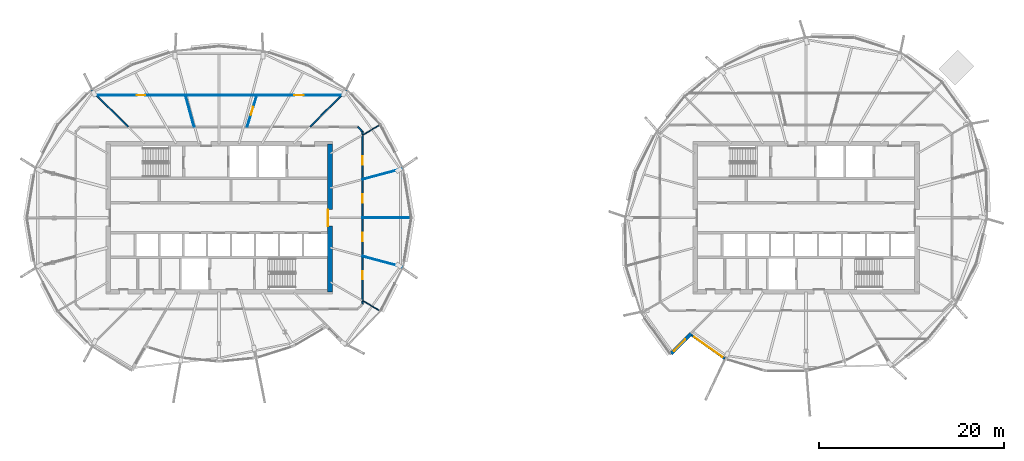
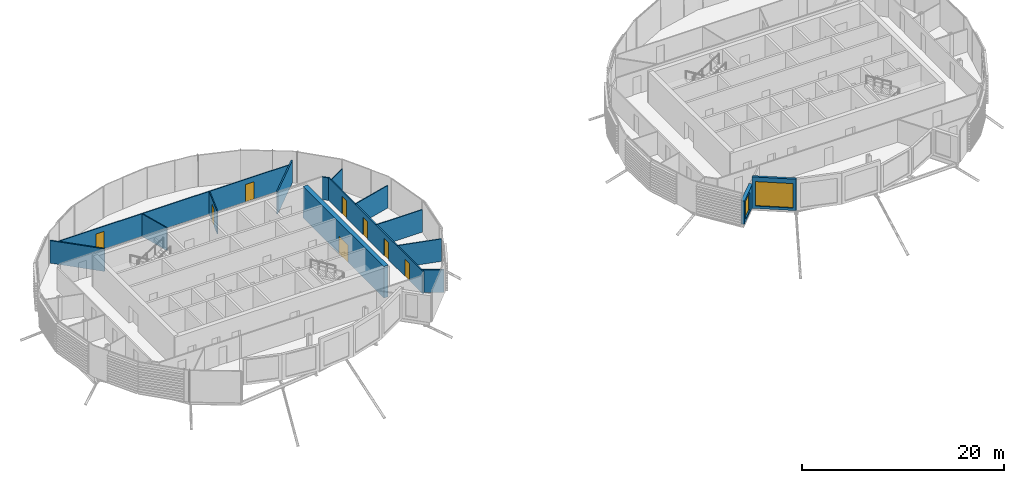
# One storey, part 18 of 35: 15 walls, 8 doors, 2 windows, 10 openings.
"""IFC4 building model written with IfcOpenShell, lengths in metres."""

import ifcopenshell
import ifcopenshell.guid

model = None  # the IFC model being written
_history = None  # IfcOwnerHistory: only IFC2X3 demands one
_inside = {}  # id of a spatial element -> (the spatial element, [elements in it])
_under = {}  # id of a project, library or spatial element -> (it, [spatial elements below it])
_declared = {}  # id of a project -> (the project, [libraries it declares])
_typed = {}  # id of a type object -> (the type object, [elements of that type])
_made_of = {}  # id of a material, layer set ... -> (it, [elements and type objects made of it])


def new_model(schema):
    """Start an empty IFC model of exactly this schema.

    Asked for "IFC4X3", IfcOpenShell would pick the latest addendum, in which some entities
    have other attributes; the version numbers below select the first issue.
    IFC2X3 requires an IfcOwnerHistory on every rooted entity: one is made here for all.
    """
    global model, _history
    if schema == "IFC4X3":
        model = ifcopenshell.file(schema_version=(4, 3, 0, 0))
    else:
        model = ifcopenshell.file(schema=schema)
    _inside.clear()
    _under.clear()
    _declared.clear()
    _typed.clear()
    _made_of.clear()
    _history = None
    if model.schema == "IFC2X3":
        org = make("IfcOrganization", Name="unknown")
        user = make(
            "IfcPersonAndOrganization",
            ThePerson=make("IfcPerson", FamilyName="unknown"),
            TheOrganization=org,
        )
        app = make(
            "IfcApplication",
            ApplicationDeveloper=org,
            Version="unknown",
            ApplicationFullName="unknown",
            ApplicationIdentifier="unknown",
        )
        _history = make(
            "IfcOwnerHistory",
            OwningUser=user,
            OwningApplication=app,
            ChangeAction="ADDED",
            CreationDate=0,
        )
    return model


def make(cls, **values):
    """One entity of the class cls with the attributes given. An attribute that is None is left unset."""
    return model.create_entity(
        cls, **{name: value for name, value in values.items() if value is not None}
    )


def rooted(cls, **values):
    """An entity with a GlobalId (a new one), such as an element, a storey or a relation."""
    return make(cls, GlobalId=ifcopenshell.guid.new(), OwnerHistory=_history, **values)


def si_unit(unit_type, name, prefix=None):
    """IfcSIUnit, for example si_unit("LENGTHUNIT", "METRE", prefix="MILLI")."""
    return make("IfcSIUnit", UnitType=unit_type, Prefix=prefix, Name=name)


def assignment(units):
    """IfcUnitAssignment: the units of a project."""
    return None if units is None else make("IfcUnitAssignment", Units=units)


def point(xyz):
    """IfcCartesianPoint."""
    return None if xyz is None else make("IfcCartesianPoint", Coordinates=xyz)


def direction(xyz):
    """IfcDirection."""
    return None if xyz is None else make("IfcDirection", DirectionRatios=xyz)


def frame(location, z_axis=None, x_axis=None):
    """IfcAxis2Placement3D, a coordinate frame: its origin and axes. An axis left out is left unset."""
    return make(
        "IfcAxis2Placement3D",
        Location=point(location),
        Axis=direction(z_axis),
        RefDirection=direction(x_axis),
    )


def frame_2d(location, x_axis=None):
    """IfcAxis2Placement2D, a coordinate frame in the plane: its origin and x axis."""
    return make(
        "IfcAxis2Placement2D", Location=point(location), RefDirection=direction(x_axis)
    )


def origin():
    """The frame at (0, 0, 0) with its axes left unset."""
    return frame((0.0, 0.0, 0.0))


def place(relative_to, where):
    """IfcLocalPlacement: puts the frame where relative to a parent placement (None: the world)."""
    return make(
        "IfcLocalPlacement", PlacementRelTo=relative_to, RelativePlacement=where
    )


def context(
    kind, dimensions, precision=None, world=None, true_north=None, identifier=None
):
    """IfcGeometricRepresentationContext, for example the 3D "Model" context."""
    return make(
        "IfcGeometricRepresentationContext",
        ContextIdentifier=identifier,
        ContextType=kind,
        CoordinateSpaceDimension=dimensions,
        Precision=precision,
        WorldCoordinateSystem=world,
        TrueNorth=true_north,
    )


def subcontext(parent, identifier, kind, view, scale=None):
    """IfcGeometricRepresentationSubContext, for example "Body" below "Model"."""
    return make(
        "IfcGeometricRepresentationSubContext",
        ContextIdentifier=identifier,
        ContextType=kind,
        ParentContext=parent,
        TargetScale=scale,
        TargetView=view,
    )


def project(units=None, contexts=None):
    """IfcProject with its units and contexts."""
    return rooted(
        "IfcProject",
        Name="project",
        RepresentationContexts=contexts,
        UnitsInContext=assignment(units),
    )


def spatial(cls, under=None, at=None, **own):
    """A site, building, storey or space (cls), placed at a placement, below another one or the project."""
    s = rooted(cls, ObjectPlacement=at, **own)
    if under is not None:
        _under.setdefault(under.id(), (under, []))[1].append(s)
    return s


def profile(cls, at=None, kind="AREA", **sizes):
    """A parametric profile (cls). Its sizes go by their IFC names, for example OverallWidth=200.0."""
    return make(cls, ProfileType=kind, Position=at, **sizes)


def rectangle(**sizes):
    """IfcRectangleProfileDef."""
    return profile("IfcRectangleProfileDef", **sizes)


def extrude(swept, where, along, depth):
    """IfcExtrudedAreaSolid: the profile swept, set in the frame where, extruded along a direction by depth."""
    return make(
        "IfcExtrudedAreaSolid",
        SweptArea=swept,
        Position=where,
        ExtrudedDirection=direction(along),
        Depth=depth,
    )


def shape(context_of_items, identifier, shape_type, items):
    """IfcShapeRepresentation: the items that make up one representation, for example the "Body"."""
    return make(
        "IfcShapeRepresentation",
        ContextOfItems=context_of_items,
        RepresentationIdentifier=identifier,
        RepresentationType=shape_type,
        Items=items,
    )


def material(Name=None, Category=None):
    """IfcMaterial."""
    return make("IfcMaterial", Name=Name, Category=Category)


def layer(
    of_material, thickness, ventilated=None, Name=None, Category=None, Priority=None
):
    """IfcMaterialLayer: one layer of a wall or slab, of a material (None: an air gap)."""
    return make(
        "IfcMaterialLayer",
        Material=of_material,
        LayerThickness=thickness,
        IsVentilated=ventilated,
        Name=Name,
        Category=Category,
        Priority=Priority,
    )


def layer_set(layers, Name=None):
    """IfcMaterialLayerSet."""
    return make("IfcMaterialLayerSet", MaterialLayers=layers, LayerSetName=Name)


def made_of(thing, what):
    """Note that an element or type object is made of a material, layer set ...; save() writes the relation."""
    if what is not None:
        _made_of.setdefault(what.id(), (what, []))[1].append(thing)
    return thing


def type_object(cls, material=None, **own):
    """A type object (cls), such as IfcWallType, which elements share."""
    return made_of(rooted(cls, **own), material)


def element(
    cls,
    number,
    at=None,
    inside=None,
    cuts=None,
    type_object=None,
    material=None,
    context=None,
    identifier="Body",
    shape_type=None,
    held_by="IfcProductDefinitionShape",
    body=None,
    shapes=None,
    **own,
):
    """One element of the class cls, such as IfcWall. Its Tag is "e" and its number.

    at: its placement. inside: the storey or other place that contains it. cuts: it is an
    opening in that element (IfcRelVoidsElement). A single representation is given by context,
    identifier, shape_type and body (its items); several are given by shapes. held_by: the class
    of the entity that holds the representations. save() writes the other relations.
    """
    e = rooted(cls, Tag="e%d" % number, ObjectPlacement=at, **own)
    if body is not None:
        shapes = [shape(context, identifier, shape_type, body)]
    if shapes is not None:
        e.Representation = make(held_by, Representations=shapes)
    if inside is not None:
        _inside.setdefault(inside.id(), (inside, []))[1].append(e)
    if cuts is not None:
        rooted(
            "IfcRelVoidsElement", RelatingBuildingElement=cuts, RelatedOpeningElement=e
        )
    if type_object is not None:
        _typed.setdefault(type_object.id(), (type_object, []))[1].append(e)
    return made_of(e, material)


def fill(opening, filler):
    """IfcRelFillsElement: the door or window that sits in an opening."""
    return rooted(
        "IfcRelFillsElement",
        RelatingOpeningElement=opening,
        RelatedBuildingElement=filler,
    )


def aggregate(whole, parts):
    """IfcRelAggregates: a whole, such as a stair, and the parts it consists of."""
    return rooted("IfcRelAggregates", RelatingObject=whole, RelatedObjects=parts)


def save(model, path):
    """Write the relations noted so far, then the file.

    IfcRelAggregates (storeys below a building ...), IfcRelContainedInSpatialStructure (elements
    in a storey), IfcRelDefinesByType, IfcRelAssociatesMaterial and IfcRelDeclares: one each for
    every whole, place, type object, material and project.
    """
    for whole, parts in _under.values():
        aggregate(whole, parts)
    for where, things in _inside.values():
        rooted(
            "IfcRelContainedInSpatialStructure",
            RelatedElements=things,
            RelatingStructure=where,
        )
    for kind, things in _typed.values():
        rooted("IfcRelDefinesByType", RelatedObjects=things, RelatingType=kind)
    for what, things in _made_of.values():
        rooted("IfcRelAssociatesMaterial", RelatedObjects=things, RelatingMaterial=what)
    for by, libraries in _declared.values():
        rooted("IfcRelDeclares", RelatingContext=by, RelatedDefinitions=libraries)
    model.write(path)


model = new_model("IFC4")

# Units and contexts
model_context = context("Model", 3, precision=1e-05, world=origin(), true_north=direction((0.0, 1.0)))
body_context = subcontext(model_context, "Body", "Model", "MODEL_VIEW")
ifc_project = project(units=[si_unit("LENGTHUNIT", "METRE"), si_unit("AREAUNIT", "SQUARE_METRE"), si_unit("VOLUMEUNIT", "CUBIC_METRE"), si_unit("PLANEANGLEUNIT", "RADIAN"), si_unit("MASSUNIT", "GRAM", prefix="KILO")], contexts=[model_context])

# Site, building, storey
site_placement = place(None, origin())
site = spatial("IfcSite", under=ifc_project, at=site_placement, CompositionType="ELEMENT")
building_placement = place(site_placement, origin())
building = spatial("IfcBuilding", under=site, at=building_placement, Name="Rimbun Link Towers", CompositionType="ELEMENT")
storey_placement = place(building_placement, frame((0.0, 0.0, 225.699951171875)))
storey = spatial("IfcBuildingStorey", under=building, at=storey_placement, Name="L55", CompositionType="ELEMENT", Elevation=225.699951171875)

# Wall, opening, window
ifc_material_1 = material(Name="Dark enamelled glass spandrel on insulated aluminium backpan", Category="aluminium")
ifc_layer_1 = layer(ifc_material_1, 0.25)
ifc_layer_set_1 = layer_set([ifc_layer_1], Name="CS dark enamelled spandrel wall 250")
wall_type_1 = type_object("IfcWallType", Name="CS dark enamelled spandrel wall 250", PredefinedType="STANDARD", material=ifc_layer_set_1)
wall_1_placement = place(storey_placement, frame((22.960205078125, -15.24169921875, 0.0), z_axis=(0.0, 0.0, 1.0), x_axis=(-0.815761140311, 0.57838893658, 0.0)))
wall_1 = element("IfcWall", 1, at=wall_1_placement, inside=storey, type_object=wall_type_1, Name="Crease spandrel wall", PredefinedType="STANDARD", context=body_context, shape_type="SweptSolid", body=[
    extrude(rectangle(XDim=4.374267578125, YDim=0.25, at=frame_2d((2.18701171875, 0.0))), origin(), (0.0, 0.0, 1.0), 3.800048828125),
])
opening_1_placement = place(wall_1_placement, frame((0.312255859375, 0.0, 0.300048828125)))
opening_1 = element("IfcOpeningElement", 2, at=opening_1_placement, cuts=wall_1, Name="Opening WR38H295", PredefinedType="OPENING", context=body_context, shape_type="SweptSolid", body=[
    extrude(rectangle(XDim=3.75, YDim=2.949951171875, at=frame_2d((1.875, 1.47509765625))), frame((0.0, 0.135009765625, 0.0), z_axis=(0.0, -1.0, 0.0), x_axis=(1.0, 0.0, 0.0)), (0.0, 0.0, 1.0), 0.27001953125),
])
ifc_material_2 = material(Name="Aluminium framed fixed window, dark tinted low-e glass", Category="aluminium")
window_type_1 = type_object("IfcWindowType", Name="WR ribbon window 3750X2950", PartitioningType="SINGLE_PANEL", PredefinedType="WINDOW", material=ifc_material_2)
window_1_placement = place(opening_1_placement, origin())
window_1 = element("IfcWindow", 3, at=window_1_placement, inside=storey, type_object=window_type_1, Name="Crease ribbon window", OverallHeight=2.949951171875, OverallWidth=3.75, PartitioningType="SINGLE_PANEL", PredefinedType="WINDOW", context=body_context, shape_type="SweptSolid", body=[
    extrude(rectangle(XDim=3.75, YDim=2.949951171875, at=frame_2d((1.875, 1.47509765625))), frame((0.0, 0.030029296875, 0.0), z_axis=(0.0, -1.0, 0.0), x_axis=(1.0, 0.0, 0.0)), (0.0, 0.0, 1.0), 0.06005859375),
])
fill(opening_1, window_1)

ifc_material_3 = material(Name="Dark enamelled glass spandrel on insulated aluminium backpan", Category="aluminium")
ifc_layer_2 = layer(ifc_material_3, 0.3701171875)
ifc_layer_set_2 = layer_set([ifc_layer_2], Name="CS dark enamelled spandrel wall 370")
wall_type_2 = type_object("IfcWallType", Name="CS dark enamelled spandrel wall 370", PredefinedType="STANDARD", material=ifc_layer_set_2)
wall_2_placement = place(storey_placement, frame((19.320556640625, -12.521240234375, 0.0), z_axis=(0.0, 0.0, 1.0), x_axis=(-0.707067146267, -0.707146413884, 0.0)))
wall_2 = element("IfcWall", 4, at=wall_2_placement, inside=storey, type_object=wall_type_2, Name="Crease spandrel wall", PredefinedType="STANDARD", context=body_context, shape_type="SweptSolid", body=[
    extrude(rectangle(XDim=3.079833984375, YDim=0.3701171875, at=frame_2d((1.5400390625, 0.0))), origin(), (0.0, 0.0, 1.0), 2.809326171875),
])
opening_2_placement = place(wall_2_placement, frame((0.90576171875, 0.0, 0.300048828125)))
opening_2 = element("IfcOpeningElement", 5, at=opening_2_placement, cuts=wall_2, Name="Opening WR18H220", PredefinedType="OPENING", context=body_context, shape_type="SweptSolid", body=[
    extrude(rectangle(XDim=1.75, YDim=2.199951171875, at=frame_2d((0.875, 1.10009765625))), frame((0.0, 0.195068359375, 0.0), z_axis=(0.0, -1.0, 0.0), x_axis=(1.0, 0.0, 0.0)), (0.0, 0.0, 1.0), 0.39013671875),
])
ifc_material_4 = material(Name="Aluminium framed fixed window, dark tinted low-e glass", Category="aluminium")
window_type_2 = type_object("IfcWindowType", Name="WR ribbon window 1750X2200", PartitioningType="SINGLE_PANEL", PredefinedType="WINDOW", material=ifc_material_4)
window_2_placement = place(opening_2_placement, origin())
window_2 = element("IfcWindow", 6, at=window_2_placement, inside=storey, type_object=window_type_2, Name="Crease ribbon window", OverallHeight=2.199951171875, OverallWidth=1.75, PartitioningType="SINGLE_PANEL", PredefinedType="WINDOW", context=body_context, shape_type="SweptSolid", body=[
    extrude(rectangle(XDim=1.75, YDim=2.199951171875, at=frame_2d((0.875, 1.10009765625))), frame((0.0, 0.030029296875, 0.0), z_axis=(0.0, -1.0, 0.0), x_axis=(1.0, 0.0, 0.0)), (0.0, 0.0, 1.0), 0.06005859375),
])
fill(opening_2, window_2)

# Wall, opening, door
ifc_material_5 = material(Name="Concrete C60/75", Category="concrete")
ifc_layer_3 = layer(ifc_material_5, 0.5)
ifc_layer_set_3 = layer_set([ifc_layer_3], Name="Core shear wall 500")
wall_type_3 = type_object("IfcWallType", Name="Core shear wall 500", PredefinedType="SHEAR", material=ifc_layer_set_3)
wall_3_placement = place(storey_placement, frame((-19.75, -8.0, 0.0), z_axis=(0.0, 0.0, 1.0), x_axis=(0.0, 1.0, 0.0)))
wall_3 = element("IfcWall", 7, at=wall_3_placement, inside=storey, type_object=wall_type_3, Name="L55 T1 core wall E", PredefinedType="SHEAR", context=body_context, shape_type="SweptSolid", body=[
    extrude(rectangle(XDim=16.0, YDim=0.5, at=frame_2d((8.0, 0.0))), origin(), (0.0, 0.0, 1.0), 3.800048828125),
])
opening_3_placement = place(wall_3_placement, frame((7.10009765625, 0.0, 0.0)))
opening_3 = element("IfcOpeningElement", 8, at=opening_3_placement, cuts=wall_3, Name="Opening C1DCL01E", PredefinedType="OPENING", context=body_context, shape_type="SweptSolid", body=[
    extrude(rectangle(XDim=1.800048828125, YDim=2.10009765625, at=frame_2d((0.89990234375, 1.050048828125))), frame((0.0, 0.260009765625, 0.0), z_axis=(0.0, -1.0, 0.0), x_axis=(1.0, 0.0, 0.0)), (0.0, 0.0, 1.0), 0.52001953125),
])
ifc_material_6 = material(Name="Steel fire door set", Category="steel")
door_type_1 = type_object("IfcDoorType", Name="Core lobby door double", OperationType="DOUBLE_DOOR_SINGLE_SWING", PredefinedType="DOOR", material=ifc_material_6)
door_1_placement = place(opening_3_placement, origin())
door_1 = element("IfcDoor", 9, at=door_1_placement, inside=storey, type_object=door_type_1, Name="L55 T1 lift lobby door", OperationType="DOUBLE_DOOR_SINGLE_SWING", OverallHeight=2.10009765625, OverallWidth=1.800048828125, PredefinedType="DOOR", context=body_context, shape_type="SweptSolid", body=[
    extrude(rectangle(XDim=1.800048828125, YDim=2.10009765625, at=frame_2d((0.89990234375, 1.050048828125))), frame((0.0, 0.25, 0.0), z_axis=(0.0, -1.0, 0.0), x_axis=(1.0, 0.0, 0.0)), (0.0, 0.0, 1.0), 0.050048828125),
])
fill(opening_3, door_1)

# Wall
ifc_material_7 = material(Name="Plasterboard on steel stud, mineral wool", Category="steel")
ifc_layer_4 = layer(ifc_material_7, 0.14990234375)
ifc_layer_set_4 = layer_set([ifc_layer_4], Name="Corridor wall EI 30 150 mm")
wall_type_4 = type_object("IfcWallType", Name="Corridor wall EI 30 150 mm", PredefinedType="PARTITIONING", material=ifc_layer_set_4)
wall_4_placement = place(storey_placement, frame((-16.2451171875, 9.34375, 0.0), z_axis=(0.0, 0.0, 1.0), x_axis=(-0.707106781187, 0.707106781187, 0.0)))
element("IfcWall", 10, at=wall_4_placement, inside=storey, type_object=wall_type_4, Name="Corridor wall EI 30 150 mm", PredefinedType="PARTITIONING", context=body_context, shape_type="SweptSolid", body=[
    extrude(rectangle(XDim=0.708740234375, YDim=0.14990234375, at=frame_2d((0.3544921875, 0.0))), origin(), (0.0, 0.0, 1.0), 2.72216796875),
])

# Wall, openings, doors
wall_5_placement = place(storey_placement, frame((-16.2451171875, 9.34375, 0.0), z_axis=(0.0, 0.0, 1.0), x_axis=(0.0, -1.0, 0.0)))
wall_5 = element("IfcWall", 11, at=wall_5_placement, inside=storey, type_object=wall_type_4, Name="Corridor wall EI 30 150 mm", PredefinedType="PARTITIONING", context=body_context, shape_type="SweptSolid", body=[
    extrude(rectangle(XDim=18.6875, YDim=0.14990234375, at=frame_2d((9.34375, 0.0))), origin(), (0.0, 0.0, 1.0), 2.72216796875),
])
opening_4_placement = place(wall_5_placement, frame((15.111083984375, 0.0, 0.0)))
opening_4 = element("IfcOpeningElement", 12, at=opening_4_placement, cuts=wall_5, Name="Opening D02", PredefinedType="OPENING", context=body_context, shape_type="SweptSolid", body=[
    extrude(rectangle(XDim=0.89990234375, YDim=2.10009765625, at=frame_2d((0.449951171875, 1.050048828125))), frame((0.0, 0.0849609375, 0.0), z_axis=(0.0, -1.0, 0.0), x_axis=(1.0, 0.0, 0.0)), (0.0, 0.0, 1.0), 0.169921875),
])
opening_5_placement = place(wall_5_placement, frame((10.970947265625, 0.0, 0.0)))
opening_5 = element("IfcOpeningElement", 13, at=opening_5_placement, cuts=wall_5, Name="Opening D02", PredefinedType="OPENING", context=body_context, shape_type="SweptSolid", body=[
    extrude(rectangle(XDim=0.89990234375, YDim=2.10009765625, at=frame_2d((0.449951171875, 1.050048828125))), frame((0.0, 0.0849609375, 0.0), z_axis=(0.0, -1.0, 0.0), x_axis=(1.0, 0.0, 0.0)), (0.0, 0.0, 1.0), 0.169921875),
])
opening_6_placement = place(wall_5_placement, frame((6.81640625, 0.0, 0.0)))
opening_6 = element("IfcOpeningElement", 14, at=opening_6_placement, cuts=wall_5, Name="Opening D02", PredefinedType="OPENING", context=body_context, shape_type="SweptSolid", body=[
    extrude(rectangle(XDim=0.89990234375, YDim=2.10009765625, at=frame_2d((0.449951171875, 1.050048828125))), frame((0.0, 0.0849609375, 0.0), z_axis=(0.0, -1.0, 0.0), x_axis=(1.0, 0.0, 0.0)), (0.0, 0.0, 1.0), 0.169921875),
])
opening_7_placement = place(wall_5_placement, frame((2.676513671875, 0.0, 0.0)))
opening_7 = element("IfcOpeningElement", 15, at=opening_7_placement, cuts=wall_5, Name="Opening D02", PredefinedType="OPENING", context=body_context, shape_type="SweptSolid", body=[
    extrude(rectangle(XDim=0.89990234375, YDim=2.10009765625, at=frame_2d((0.449951171875, 1.050048828125))), frame((0.0, 0.0849609375, 0.0), z_axis=(0.0, -1.0, 0.0), x_axis=(1.0, 0.0, 0.0)), (0.0, 0.0, 1.0), 0.169921875),
])
ifc_material_8 = material(Name="Fire-resisting timber door leaf", Category="wood")
door_type_2 = type_object("IfcDoorType", Name="Fire door FD30S 900", OperationType="NOTDEFINED", PredefinedType="DOOR", material=ifc_material_8)
door_2_placement = place(opening_4_placement, origin())
door_2 = element("IfcDoor", 16, at=door_2_placement, inside=storey, type_object=door_type_2, Name="Fire door FD30S 900 to Executive office", OperationType="SINGLE_SWING_RIGHT", OverallHeight=2.10009765625, OverallWidth=0.89990234375, PredefinedType="DOOR", context=body_context, shape_type="SweptSolid", body=[
    extrude(rectangle(XDim=0.89990234375, YDim=2.10009765625, at=frame_2d((0.449951171875, 1.050048828125))), frame((0.0, 0.02490234375, 0.0), z_axis=(0.0, -1.0, 0.0), x_axis=(1.0, 0.0, 0.0)), (0.0, 0.0, 1.0), 0.050048828125),
])
fill(opening_4, door_2)
door_3_placement = place(opening_5_placement, origin())
door_3 = element("IfcDoor", 17, at=door_3_placement, inside=storey, type_object=door_type_2, Name="Fire door FD30S 900 to Open office", OperationType="SINGLE_SWING_LEFT", OverallHeight=2.10009765625, OverallWidth=0.89990234375, PredefinedType="DOOR", context=body_context, shape_type="SweptSolid", body=[
    extrude(rectangle(XDim=0.89990234375, YDim=2.10009765625, at=frame_2d((0.449951171875, 1.050048828125))), frame((0.0, 0.02490234375, 0.0), z_axis=(0.0, -1.0, 0.0), x_axis=(1.0, 0.0, 0.0)), (0.0, 0.0, 1.0), 0.050048828125),
])
fill(opening_5, door_3)
door_4_placement = place(opening_6_placement, origin())
door_4 = element("IfcDoor", 18, at=door_4_placement, inside=storey, type_object=door_type_2, Name="Fire door FD30S 900 to Boardroom", OperationType="SINGLE_SWING_RIGHT", OverallHeight=2.10009765625, OverallWidth=0.89990234375, PredefinedType="DOOR", context=body_context, shape_type="SweptSolid", body=[
    extrude(rectangle(XDim=0.89990234375, YDim=2.10009765625, at=frame_2d((0.449951171875, 1.050048828125))), frame((0.0, 0.02490234375, 0.0), z_axis=(0.0, -1.0, 0.0), x_axis=(1.0, 0.0, 0.0)), (0.0, 0.0, 1.0), 0.050048828125),
])
fill(opening_6, door_4)
door_5_placement = place(opening_7_placement, origin())
door_5 = element("IfcDoor", 19, at=door_5_placement, inside=storey, type_object=door_type_2, Name="Fire door FD30S 900 to Meeting room", OperationType="SINGLE_SWING_LEFT", OverallHeight=2.10009765625, OverallWidth=0.89990234375, PredefinedType="DOOR", context=body_context, shape_type="SweptSolid", body=[
    extrude(rectangle(XDim=0.89990234375, YDim=2.10009765625, at=frame_2d((0.449951171875, 1.050048828125))), frame((0.0, 0.02490234375, 0.0), z_axis=(0.0, -1.0, 0.0), x_axis=(1.0, 0.0, 0.0)), (0.0, 0.0, 1.0), 0.050048828125),
])
fill(opening_7, door_5)

# Walls
ifc_material_9 = material(Name="Plasterboard on steel stud", Category="steel")
ifc_layer_5 = layer(ifc_material_9, 0.10009765625)
ifc_layer_set_5 = layer_set([ifc_layer_5], Name="Plasterboard partition 100 mm")
wall_type_5 = type_object("IfcWallType", Name="Plasterboard partition 100 mm", PredefinedType="PARTITIONING", material=ifc_layer_set_5)
wall_6_placement = place(storey_placement, frame((-14.331787109375, -10.056396484375, 0.0), z_axis=(0.0, 0.0, 1.0), x_axis=(-0.866058613861, 0.499942474047, 0.0)))
element("IfcWall", 20, at=wall_6_placement, inside=storey, type_object=wall_type_5, Name="Plasterboard partition 100 mm", PredefinedType="PARTITIONING", context=body_context, shape_type="SweptSolid", body=[
    extrude(rectangle(XDim=2.209228515625, YDim=0.10009765625, at=frame_2d((1.1044921875, 0.0))), origin(), (0.0, 0.0, 1.0), 2.72216796875),
])
wall_7_placement = place(storey_placement, frame((-11.8828125, -5.323486328125, 0.0), z_axis=(0.0, 0.0, 1.0), x_axis=(-0.965921990313, 0.258833360735, 0.0)))
element("IfcWall", 21, at=wall_7_placement, inside=storey, type_object=wall_type_5, Name="Plasterboard partition 100 mm", PredefinedType="PARTITIONING", context=body_context, shape_type="SweptSolid", body=[
    extrude(rectangle(XDim=4.51611328125, YDim=0.10009765625, at=frame_2d((2.258056640625, 0.0))), origin(), (0.0, 0.0, 1.0), 2.72216796875),
])
wall_8_placement = place(storey_placement, frame((-11.00732421875, 0.0, 0.0), z_axis=(0.0, 0.0, 1.0), x_axis=(-1.0, 0.0, 0.0)))
element("IfcWall", 22, at=wall_8_placement, inside=storey, type_object=wall_type_5, Name="Plasterboard partition 100 mm", PredefinedType="PARTITIONING", context=body_context, shape_type="SweptSolid", body=[
    extrude(rectangle(XDim=5.23779296875, YDim=0.10009765625, at=frame_2d((2.618896484375, 0.0))), origin(), (0.0, 0.0, 1.0), 2.72216796875),
])
wall_9_placement = place(storey_placement, frame((-11.8828125, 5.323486328125, 0.0), z_axis=(0.0, 0.0, 1.0), x_axis=(-0.965921990313, -0.258833360735, 0.0)))
element("IfcWall", 23, at=wall_9_placement, inside=storey, type_object=wall_type_5, Name="Plasterboard partition 100 mm", PredefinedType="PARTITIONING", context=body_context, shape_type="SweptSolid", body=[
    extrude(rectangle(XDim=4.51611328125, YDim=0.10009765625, at=frame_2d((2.258056640625, 0.0))), origin(), (0.0, 0.0, 1.0), 2.72216796875),
])
wall_10_placement = place(storey_placement, frame((-14.331787109375, 10.056396484375, 0.0), z_axis=(0.0, 0.0, 1.0), x_axis=(-0.866058613861, -0.499942474047, 0.0)))
element("IfcWall", 24, at=wall_10_placement, inside=storey, type_object=wall_type_5, Name="Plasterboard partition 100 mm", PredefinedType="PARTITIONING", context=body_context, shape_type="SweptSolid", body=[
    extrude(rectangle(XDim=2.209228515625, YDim=0.10009765625, at=frame_2d((1.1044921875, 0.0))), origin(), (0.0, 0.0, 1.0), 2.72216796875),
])

# Wall, opening, door
wall_11_placement = place(storey_placement, frame((-28.71826171875, 9.844970703125, 0.0), z_axis=(0.0, 0.0, 1.0), x_axis=(0.294387864985, 0.955686028437, 0.0)))
wall_11 = element("IfcWall", 25, at=wall_11_placement, inside=storey, type_object=wall_type_5, Name="Plasterboard partition 100 mm", PredefinedType="PARTITIONING", context=body_context, shape_type="SweptSolid", body=[
    extrude(rectangle(XDim=3.57861328125, YDim=0.10009765625, at=frame_2d((1.789306640625, 0.0))), origin(), (0.0, 0.0, 1.0), 2.72216796875),
])
opening_8_placement = place(wall_11_placement, frame((1.33935546875, 0.0, 0.0)))
opening_8 = element("IfcOpeningElement", 26, at=opening_8_placement, cuts=wall_11, Name="Opening D04", PredefinedType="OPENING", context=body_context, shape_type="SweptSolid", body=[
    extrude(rectangle(XDim=0.89990234375, YDim=2.10009765625, at=frame_2d((0.449951171875, 1.050048828125))), frame((0.0, 0.06005859375, 0.0), z_axis=(0.0, -1.0, 0.0), x_axis=(1.0, 0.0, 0.0)), (0.0, 0.0, 1.0), 0.1201171875),
])
ifc_material_10 = material(Name="Timber door leaf", Category="wood")
door_type_3 = type_object("IfcDoorType", Name="Flush door 900", OperationType="NOTDEFINED", PredefinedType="DOOR", material=ifc_material_10)
door_6_placement = place(opening_8_placement, origin())
door_6 = element("IfcDoor", 27, at=door_6_placement, inside=storey, type_object=door_type_3, Name="Flush door 900 to Meeting room", OperationType="SINGLE_SWING_LEFT", OverallHeight=2.10009765625, OverallWidth=0.89990234375, PredefinedType="DOOR", context=body_context, shape_type="SweptSolid", body=[
    extrude(rectangle(XDim=0.89990234375, YDim=2.10009765625, at=frame_2d((0.449951171875, 1.050048828125))), frame((0.0, 0.02490234375, 0.0), z_axis=(0.0, -1.0, 0.0), x_axis=(1.0, 0.0, 0.0)), (0.0, 0.0, 1.0), 0.050048828125),
])
fill(opening_8, door_6)

# Wall, openings, doors
wall_12_placement = place(storey_placement, frame((-45.014892578125, 13.264892578125, 0.0), z_axis=(0.0, 0.0, 1.0), x_axis=(1.0, 0.0, 0.0)))
wall_12 = element("IfcWall", 28, at=wall_12_placement, inside=storey, type_object=wall_type_5, Name="Plasterboard partition 100 mm", PredefinedType="PARTITIONING", context=body_context, shape_type="SweptSolid", body=[
    extrude(rectangle(XDim=26.52978515625, YDim=0.10009765625, at=frame_2d((13.264892578125, 0.0))), origin(), (0.0, 0.0, 1.0), 2.72216796875),
])
opening_9_placement = place(wall_12_placement, frame((21.42431640625, 0.0, 0.0)))
opening_9 = element("IfcOpeningElement", 29, at=opening_9_placement, cuts=wall_12, Name="Opening D03", PredefinedType="OPENING", context=body_context, shape_type="SweptSolid", body=[
    extrude(rectangle(XDim=1.0, YDim=2.10009765625, at=frame_2d((0.5, 1.050048828125))), frame((0.0, 0.06005859375, 0.0), z_axis=(0.0, -1.0, 0.0), x_axis=(1.0, 0.0, 0.0)), (0.0, 0.0, 1.0), 0.1201171875),
])
opening_10_placement = place(wall_12_placement, frame((4.364990234375, 0.0, 0.0)))
opening_10 = element("IfcOpeningElement", 30, at=opening_10_placement, cuts=wall_12, Name="Opening D04", PredefinedType="OPENING", context=body_context, shape_type="SweptSolid", body=[
    extrude(rectangle(XDim=0.89990234375, YDim=2.10009765625, at=frame_2d((0.449951171875, 1.050048828125))), frame((0.0, 0.06005859375, 0.0), z_axis=(0.0, -1.0, 0.0), x_axis=(1.0, 0.0, 0.0)), (0.0, 0.0, 1.0), 0.1201171875),
])
ifc_material_11 = material(Name="Timber door leaf", Category="wood")
door_type_4 = type_object("IfcDoorType", Name="Flush door 1000", OperationType="NOTDEFINED", PredefinedType="DOOR", material=ifc_material_11)
door_7_placement = place(opening_9_placement, origin())
door_7 = element("IfcDoor", 31, at=door_7_placement, inside=storey, type_object=door_type_4, Name="Flush door 1000 to Open office", OperationType="SINGLE_SWING_RIGHT", OverallHeight=2.10009765625, OverallWidth=1.0, PredefinedType="DOOR", context=body_context, shape_type="SweptSolid", body=[
    extrude(rectangle(XDim=1.0, YDim=2.10009765625, at=frame_2d((0.5, 1.050048828125))), frame((0.0, 0.02490234375, 0.0), z_axis=(0.0, -1.0, 0.0), x_axis=(1.0, 0.0, 0.0)), (0.0, 0.0, 1.0), 0.050048828125),
])
fill(opening_9, door_7)
door_8_placement = place(opening_10_placement, origin())
door_8 = element("IfcDoor", 32, at=door_8_placement, inside=storey, type_object=door_type_3, Name="Flush door 900 to Print room", OperationType="SINGLE_SWING_LEFT", OverallHeight=2.10009765625, OverallWidth=0.89990234375, PredefinedType="DOOR", context=body_context, shape_type="SweptSolid", body=[
    extrude(rectangle(XDim=0.89990234375, YDim=2.10009765625, at=frame_2d((0.449951171875, 1.050048828125))), frame((0.0, 0.02490234375, 0.0), z_axis=(0.0, -1.0, 0.0), x_axis=(1.0, 0.0, 0.0)), (0.0, 0.0, 1.0), 0.050048828125),
])
fill(opening_10, door_8)

# Walls
wall_13_placement = place(storey_placement, frame((-35.385009765625, 13.264892578125, 0.0), z_axis=(0.0, 0.0, 1.0), x_axis=(0.264311470263, -0.964437373129, 0.0)))
element("IfcWall", 33, at=wall_13_placement, inside=storey, type_object=wall_type_5, Name="Plasterboard partition 100 mm", PredefinedType="PARTITIONING", context=body_context, shape_type="SweptSolid", body=[
    extrude(rectangle(XDim=3.546142578125, YDim=0.10009765625, at=frame_2d((1.77294921875, 0.0))), origin(), (0.0, 0.0, 1.0), 2.72216796875),
])
ifc_material_12 = material(Name="Plasterboard on steel stud, mineral wool", Category="steel")
ifc_layer_6 = layer(ifc_material_12, 0.14990234375)
ifc_layer_set_6 = layer_set([ifc_layer_6], Name="Tenancy separation wall EI 60 150 mm")
wall_type_6 = type_object("IfcWallType", Name="Tenancy separation wall EI 60 150 mm", PredefinedType="PARTITIONING", material=ifc_layer_set_6)
for number, where, z_axis, x_axis, name in (
    (34, (-21.905029296875, 9.844970703125, 0.0), (0.0, 0.0, 1.0), (0.707106781187, 0.707106781187, 0.0), "Tenancy separation wall EI 60 150 mm"),
    (35, (-41.594970703125, 9.844970703125, 0.0), (0.0, 0.0, 1.0), (-0.707106781187, 0.707106781187, 0.0), "Tenancy separation wall EI 60 150 mm"),
):
    element("IfcWall", number, at=place(storey_placement, frame(where, z_axis=z_axis, x_axis=x_axis)), inside=storey, type_object=wall_type_6, Name=name, PredefinedType="PARTITIONING", context=body_context, shape_type="SweptSolid", body=[
        extrude(rectangle(XDim=5.614501953125, YDim=0.14990234375, at=frame_2d((2.80712890625, 0.0))), origin(), (0.0, 0.0, 1.0), 2.72216796875),
    ])

save(model, "model.ifc")
